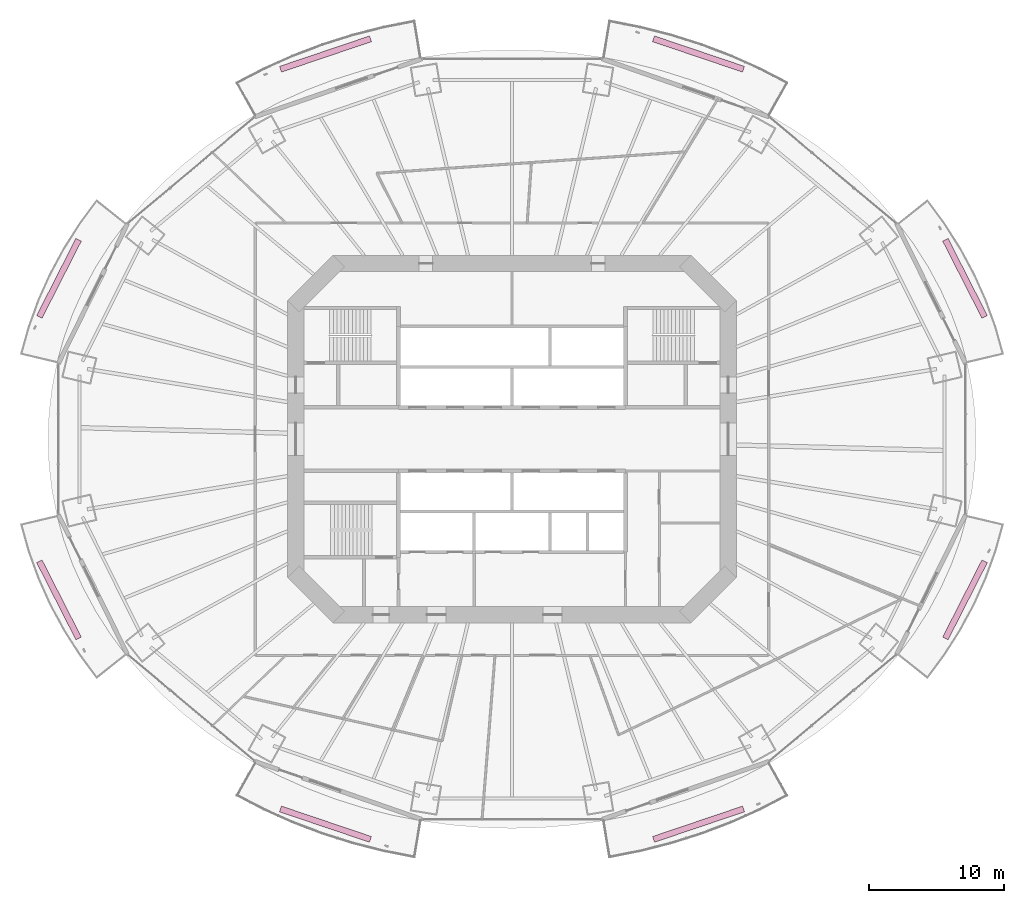
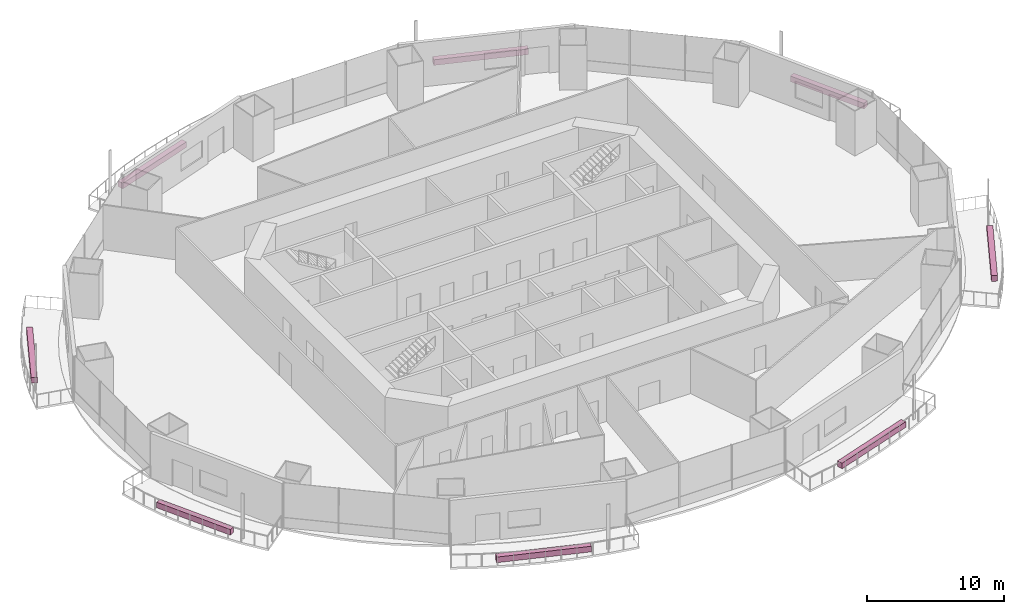
# One storey, part 22 of 22: 8 furnishings.
"""IFC4 building model written with IfcOpenShell, lengths in metres."""

from ifc_helpers import new_model, si_unit, direction, frame, origin, origin_2d, place, context, subcontext, project, spatial, rectangle, extrude, material, type_object, element, save


model = new_model("IFC4")

# Units and contexts
model_context = context("Model", 3, precision=1e-05, world=origin(), true_north=direction((0.0, 1.0)))
body_context = subcontext(model_context, "Body", "Model", "MODEL_VIEW")
ifc_project = project(units=[si_unit("LENGTHUNIT", "METRE"), si_unit("AREAUNIT", "SQUARE_METRE"), si_unit("VOLUMEUNIT", "CUBIC_METRE"), si_unit("PLANEANGLEUNIT", "RADIAN"), si_unit("MASSUNIT", "GRAM", prefix="KILO")], contexts=[model_context])

# Site, building, storey
site_placement = place(None, origin())
site = spatial("IfcSite", under=ifc_project, at=site_placement, CompositionType="ELEMENT")
building_placement = place(site_placement, origin())
building = spatial("IfcBuilding", under=site, at=building_placement, Name="Marenthal Gate Tower", CompositionType="ELEMENT")
storey_placement = place(building_placement, frame((0.0, 0.0, 116.0)))
storey = spatial("IfcBuildingStorey", under=building, at=storey_placement, Name="L24", CompositionType="ELEMENT", Elevation=116.0)

# Furnishings
ifc_material = material(Name="Planting soil and foliage", Category="planting")
furnishing_element_type = type_object("IfcFurnishingElementType", Name="Balcony PLANTER trough", material=ifc_material)
furnishing_1_placement = place(storey_placement, frame((33.524658203125, 11.89892578125, -0.0400390625), z_axis=(0.0, 0.0, 1.0), x_axis=(-0.453687759086, 0.891160713483, 0.0)))
element("IfcFurnishingElement", 1, at=furnishing_1_placement, inside=storey, type_object=furnishing_element_type, Name="Balcony PLANTER L24 bay 1", ObjectType="PLANTER", context=body_context, shape_type="SweptSolid", body=[
    extrude(rectangle(XDim=6.40185546875, YDim=0.449951171875, at=origin_2d()), origin(), (0.0, 0.0, 1.0), 0.5),
])
for number, where, z_axis, x_axis, name in (
    (2, (13.8046875, 28.497314453125, -0.0400390625), (0.0, 0.0, 1.0), (-0.947316140204, 0.320300063236, 0.0), "Balcony PLANTER L24 bay 3"),
    (3, (-13.8046875, 28.497314453125, -0.0400390625), (0.0, 0.0, 1.0), (-0.947316140204, -0.320300063236, 0.0), "Balcony PLANTER L24 bay 5"),
):
    element("IfcFurnishingElement", number, at=place(storey_placement, frame(where, z_axis=z_axis, x_axis=x_axis)), inside=storey, type_object=furnishing_element_type, Name=name, ObjectType="PLANTER", context=body_context, shape_type="SweptSolid", body=[
        extrude(rectangle(XDim=7.03466796875, YDim=0.449951171875, at=origin_2d()), origin(), (0.0, 0.0, 1.0), 0.5),
    ])
for number, where, z_axis, x_axis, name in (
    (4, (-33.524658203125, 11.89892578125, -0.0400390625), (0.0, 0.0, 1.0), (-0.453687759086, -0.891160713483, 0.0), "Balcony PLANTER L24 bay 7"),
    (5, (-33.524658203125, -11.89892578125, -0.0400390625), (0.0, 0.0, 1.0), (0.453687759086, -0.891160713483, 0.0), "Balcony PLANTER L24 bay 9"),
):
    element("IfcFurnishingElement", number, at=place(storey_placement, frame(where, z_axis=z_axis, x_axis=x_axis)), inside=storey, type_object=furnishing_element_type, Name=name, ObjectType="PLANTER", context=body_context, shape_type="SweptSolid", body=[
        extrude(rectangle(XDim=6.40185546875, YDim=0.449951171875, at=origin_2d()), origin(), (0.0, 0.0, 1.0), 0.5),
    ])
for number, where, z_axis, x_axis, name in (
    (6, (-13.8046875, -28.497314453125, -0.0400390625), (0.0, 0.0, 1.0), (0.947316140204, -0.320300063236, 0.0), "Balcony PLANTER L24 bay 11"),
    (7, (13.8046875, -28.497314453125, -0.0400390625), (0.0, 0.0, 1.0), (0.947316140204, 0.320300063236, 0.0), "Balcony PLANTER L24 bay 13"),
):
    element("IfcFurnishingElement", number, at=place(storey_placement, frame(where, z_axis=z_axis, x_axis=x_axis)), inside=storey, type_object=furnishing_element_type, Name=name, ObjectType="PLANTER", context=body_context, shape_type="SweptSolid", body=[
        extrude(rectangle(XDim=7.03466796875, YDim=0.449951171875, at=origin_2d()), origin(), (0.0, 0.0, 1.0), 0.5),
    ])
furnishing_2_placement = place(storey_placement, frame((33.524658203125, -11.89892578125, -0.0400390625), z_axis=(0.0, 0.0, 1.0), x_axis=(0.453687759086, 0.891160713483, 0.0)))
element("IfcFurnishingElement", 8, at=furnishing_2_placement, inside=storey, type_object=furnishing_element_type, Name="Balcony PLANTER L24 bay 15", ObjectType="PLANTER", context=body_context, shape_type="SweptSolid", body=[
    extrude(rectangle(XDim=6.40185546875, YDim=0.449951171875, at=origin_2d()), origin(), (0.0, 0.0, 1.0), 0.5),
])

save(model, "model.ifc")
